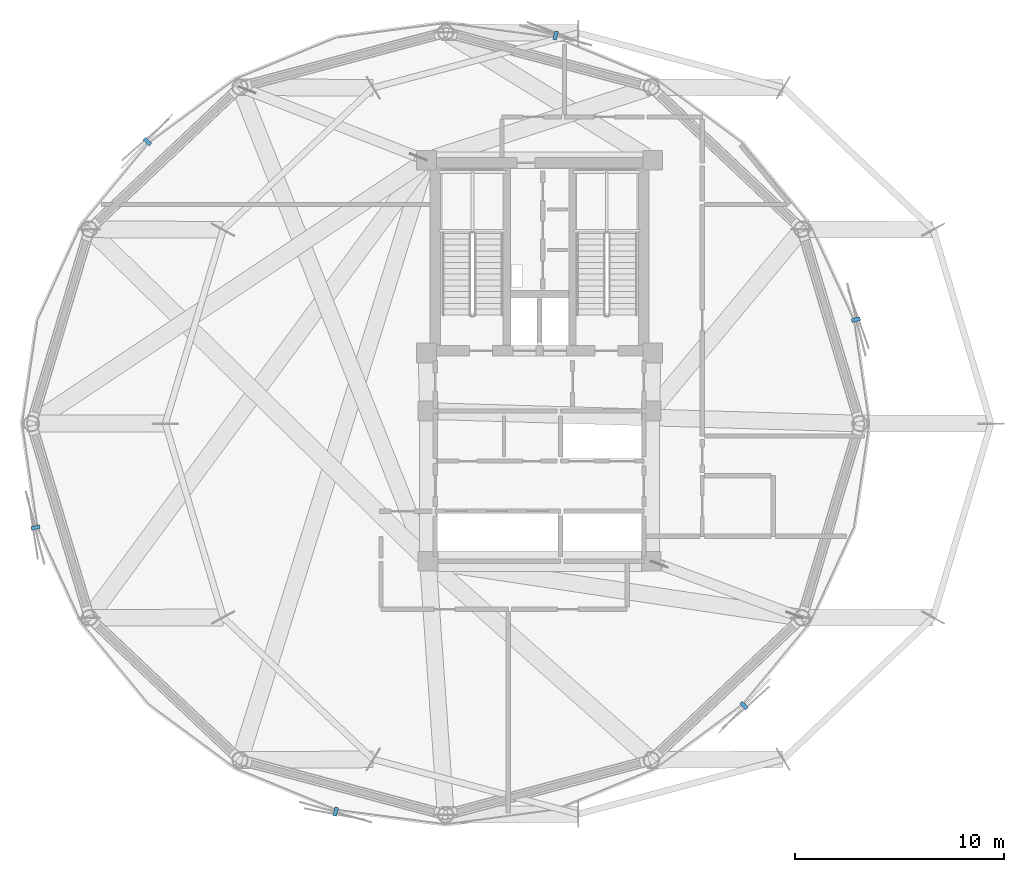
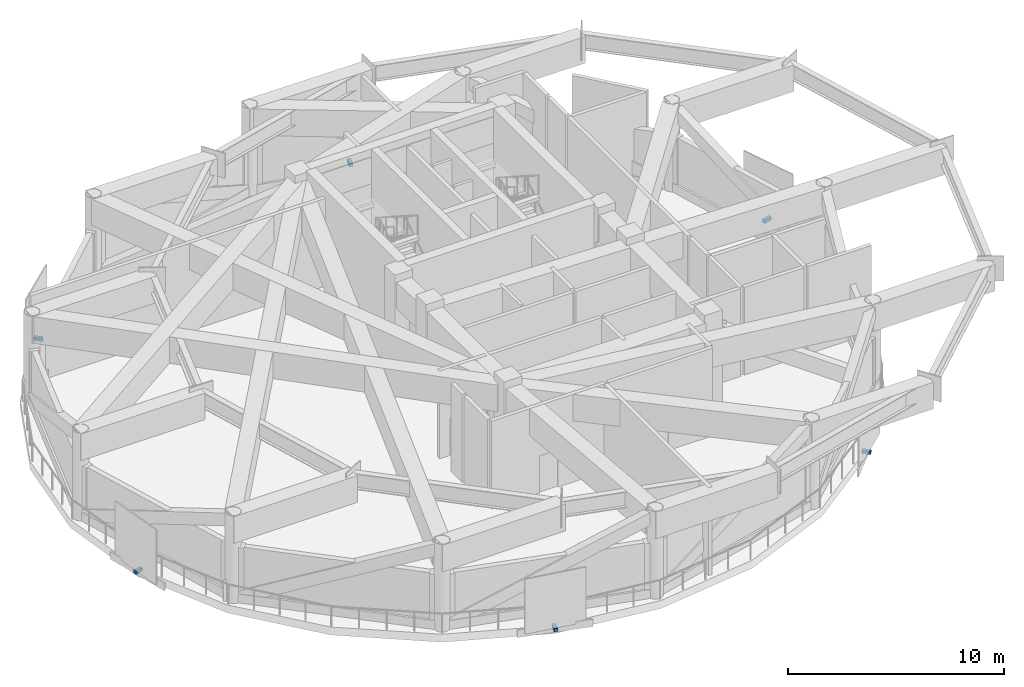
# One storey, part 5 of 8: 6 discrete accessories.
"""IFC4 building model written with IfcOpenShell, lengths in metres."""

from ifc_helpers import new_model, si_unit, direction, frame, origin, origin_2d, place, context, subcontext, project, spatial, rectangle, extrude, source, transform, mapped, material, type_object, type_shapes, element, save


model = new_model("IFC4")

# Units and contexts
model_context = context("Model", 3, precision=1e-05, world=origin(), true_north=direction((0.0, 1.0)))
body_context = subcontext(model_context, "Body", "Model", "MODEL_VIEW")
ifc_project = project(units=[si_unit("LENGTHUNIT", "METRE"), si_unit("AREAUNIT", "SQUARE_METRE"), si_unit("VOLUMEUNIT", "CUBIC_METRE"), si_unit("PLANEANGLEUNIT", "RADIAN"), si_unit("MASSUNIT", "GRAM", prefix="KILO")], contexts=[model_context])

# Site, building, storey
site_placement = place(None, origin())
site = spatial("IfcSite", under=ifc_project, at=site_placement, CompositionType="ELEMENT")
building_placement = place(site_placement, origin())
building = spatial("IfcBuilding", under=site, at=building_placement, Name="Varnakorn Sky Granary", CompositionType="ELEMENT")
storey_placement = place(building_placement, frame((0.0, 0.0, 173.39990234375)))
storey = spatial("IfcBuildingStorey", under=building, at=storey_placement, Name="L43", CompositionType="ELEMENT", Elevation=173.39990234375)

# Discrete accessories
ifc_material = material(Name="Steel S355JR", Category="steel")
discrete_accessory_type = type_object("IfcDiscreteAccessoryType", Name="AC-BRK-01", PredefinedType="BRACKET", material=ifc_material)
shared_shape = source(origin(), body_context, "Body", "SweptSolid", [
    extrude(rectangle(XDim=0.179931640625, YDim=0.419921875, at=origin_2d()), origin(), (0.0, 0.0, 1.0), 0.179931640625),
])
type_shapes(discrete_accessory_type, [shared_shape])
for number, where, z_axis, x_axis, name in (
    (1, (18.161865234375, 4.98193359375, -0.19970703125), (0.0, 0.0, 1.0), (-0.245620978801, 0.969365944715, 0.0), "Facade Solar-Screen Outrigger Bracket L43-01"),
    (2, (3.77001953125, 18.598388671875, -0.19970703125), (0.0, 0.0, 1.0), (-0.962121947709, 0.272619437563, 0.0), "Facade Solar-Screen Outrigger Bracket L43-03"),
    (3, (-15.800048828125, 13.517333984375, -0.19970703125), (0.0, 0.0, 1.0), (-0.686942362982, -0.726711902985, 0.0), "Facade Solar-Screen Outrigger Bracket L43-05"),
    (4, (-21.161865234375, -4.98193359375, -0.19970703125), (0.0, 0.0, 1.0), (0.245620978801, -0.969365944715, 0.0), "Facade Solar-Screen Outrigger Bracket L43-07"),
    (5, (-6.77001953125, -18.598388671875, -0.19970703125), (0.0, 0.0, 1.0), (0.962121947709, -0.272619437563, 0.0), "Facade Solar-Screen Outrigger Bracket L43-09"),
    (6, (12.800048828125, -13.517333984375, -0.19970703125), (0.0, 0.0, 1.0), (0.686942362982, 0.726711902985, 0.0), "Facade Solar-Screen Outrigger Bracket L43-11"),
):
    element("IfcDiscreteAccessory", number, at=place(storey_placement, frame(where, z_axis=z_axis, x_axis=x_axis)), inside=storey, type_object=discrete_accessory_type, Name=name, PredefinedType="BRACKET", context=body_context, shape_type="MappedRepresentation", body=[
        mapped(shared_shape, transform((0.0, 0.0, 0.0), x_axis=(1.0, 0.0, 0.0), y_axis=(0.0, 1.0, 0.0), z_axis=(0.0, 0.0, 1.0), scale=1.0)),
    ])

save(model, "model.ifc")
